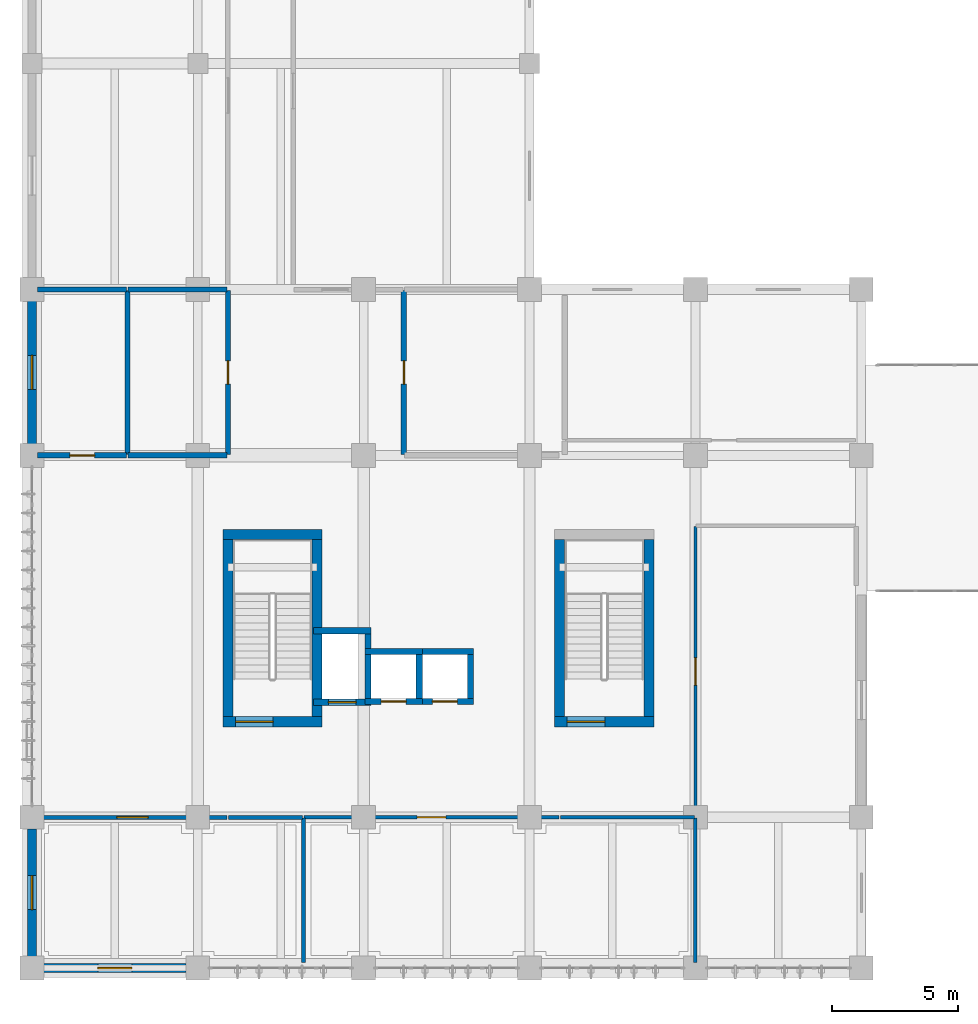
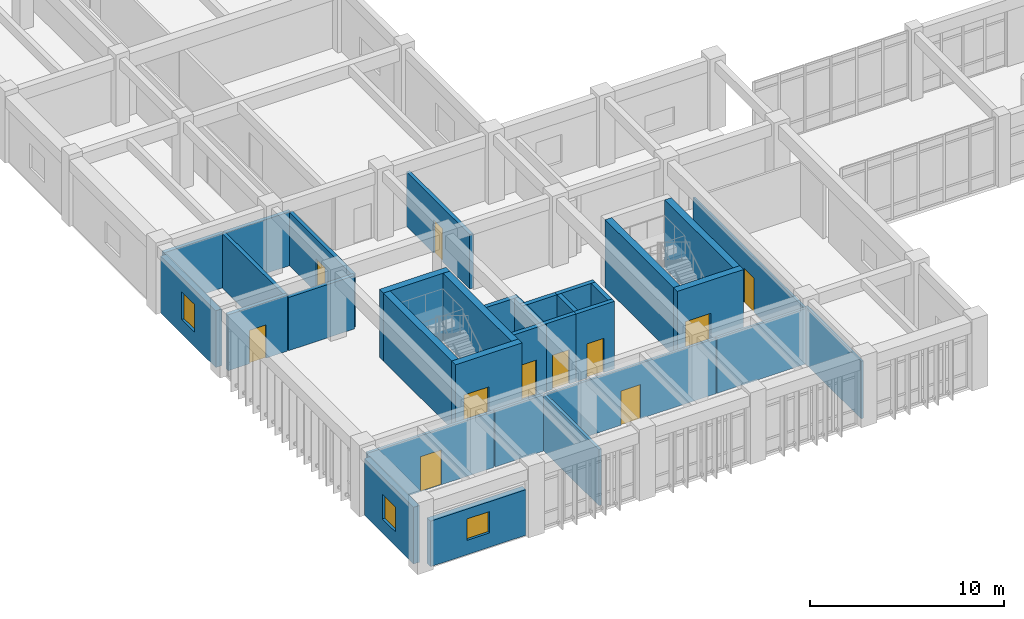
# One storey, part 42 of 57: 33 walls, 11 doors, 3 windows, 14 openings.
"""IFC4 building model written with IfcOpenShell, lengths in metres."""

from ifc_helpers import new_model, si_unit, direction, frame, frame_2d, origin, place, context, subcontext, project, spatial, rectangle, extrude, material, layer, layer_set, type_object, element, fill, save


model = new_model("IFC4")

# Units and contexts
model_context = context("Model", 3, precision=1e-05, world=origin(), true_north=direction((0.0, 1.0)))
body_context = subcontext(model_context, "Body", "Model", "MODEL_VIEW")
ifc_project = project(units=[si_unit("LENGTHUNIT", "METRE"), si_unit("AREAUNIT", "SQUARE_METRE"), si_unit("VOLUMEUNIT", "CUBIC_METRE"), si_unit("PLANEANGLEUNIT", "RADIAN"), si_unit("MASSUNIT", "GRAM", prefix="KILO")], contexts=[model_context])

# Site, building, storey
site_placement = place(None, origin())
site = spatial("IfcSite", under=ifc_project, at=site_placement, CompositionType="ELEMENT")
building_placement = place(site_placement, origin())
building = spatial("IfcBuilding", under=site, at=building_placement, Name="Miralva Faculty of Natural Sciences", CompositionType="ELEMENT")
storey_placement = place(building_placement, frame((0.0, 0.0, 15.0)))
storey = spatial("IfcBuildingStorey", under=building, at=storey_placement, Name="L03", CompositionType="ELEMENT", Elevation=15.0)

# Wall, opening, door
ifc_material_1 = material(Name="Concrete C50/60", Category="concrete")
ifc_layer_1 = layer(ifc_material_1, 0.39990234375, Name="WL-CW01")
ifc_layer_set_1 = layer_set([ifc_layer_1], Name="Concrete C50/60")
wall_type_1 = type_object("IfcWallType", Name="WL-CW01", PredefinedType="SHEAR", material=ifc_layer_set_1)
wall_1_placement = place(storey_placement, frame((10.60009765625, 12.800048828125, 0.0), z_axis=(0.0, 0.0, 1.0), x_axis=(1.0, 0.0, 0.0)))
wall_1 = element("IfcWall", 1, at=wall_1_placement, inside=storey, type_object=wall_type_1, Name="Core C1 shear wall south L03", PredefinedType="SHEAR", context=body_context, shape_type="SweptSolid", body=[
    extrude(rectangle(XDim=3.949951171875, YDim=0.39990234375, at=frame_2d((1.97509765625, 0.0))), origin(), (0.0, 0.0, 1.0), 4.280029296875),
])
opening_1_placement = place(wall_1_placement, frame((0.5, 0.0, 0.0)))
opening_1 = element("IfcOpeningElement", 2, at=opening_1_placement, cuts=wall_1, Name="Opening D-11", PredefinedType="OPENING", context=body_context, shape_type="SweptSolid", body=[
    extrude(rectangle(XDim=1.5, YDim=2.199951171875, at=frame_2d((0.75, 1.10009765625))), frame((0.0, 0.2099609375, 0.0), z_axis=(0.0, -1.0, 0.0), x_axis=(1.0, 0.0, 0.0)), (0.0, 0.0, 1.0), 0.419921875),
])
ifc_material_2 = material(Name="Galvanised steel", Category="steel")
door_type_1 = type_object("IfcDoorType", Name="DR-DI11", OperationType="DOUBLE_DOOR_SINGLE_SWING", PredefinedType="DOOR", material=ifc_material_2)
door_1_placement = place(opening_1_placement, frame((1.5, 0.0, 0.0), z_axis=(0.0, 0.0, 1.0), x_axis=(-1.0, 0.0, 0.0)))
door_1 = element("IfcDoor", 3, at=door_1_placement, inside=storey, type_object=door_type_1, Name="Protected exit stair door Core C1 L03", OperationType="DOUBLE_DOOR_SINGLE_SWING", OverallHeight=2.199951171875, OverallWidth=1.5, PredefinedType="DOOR", context=body_context, shape_type="SweptSolid", body=[
    extrude(rectangle(XDim=1.5, YDim=2.199951171875, at=frame_2d((0.75, 1.10009765625))), frame((0.0, 0.02490234375, 0.0), z_axis=(0.0, -1.0, 0.0), x_axis=(1.0, 0.0, 0.0)), (0.0, 0.0, 1.0), 0.050048828125),
])
fill(opening_1, door_1)

# Walls
wall_2_placement = place(storey_placement, frame((10.60009765625, 20.25, 0.0), z_axis=(0.0, 0.0, 1.0), x_axis=(1.0, 0.0, 0.0)))
element("IfcWall", 4, at=wall_2_placement, inside=storey, type_object=wall_type_1, Name="Core C1 shear wall north L03", PredefinedType="SHEAR", context=body_context, shape_type="SweptSolid", body=[
    extrude(rectangle(XDim=3.949951171875, YDim=0.39990234375, at=frame_2d((1.97509765625, 0.0))), origin(), (0.0, 0.0, 1.0), 4.280029296875),
])
for number, where, z_axis, x_axis, name in (
    (5, (10.800048828125, 13.0, 0.0), (0.0, 0.0, 1.0), (0.0, 1.0, 0.0), "Core C1 shear wall west L03"),
    (6, (14.35009765625, 13.0, 0.0), (0.0, 0.0, 1.0), (0.0, 1.0, 0.0), "Core C1 shear wall east L03"),
):
    element("IfcWall", number, at=place(storey_placement, frame(where, z_axis=z_axis, x_axis=x_axis)), inside=storey, type_object=wall_type_1, Name=name, PredefinedType="SHEAR", context=body_context, shape_type="SweptSolid", body=[
        extrude(rectangle(XDim=7.050048828125, YDim=0.39990234375, at=frame_2d((3.52490234375, 0.0))), origin(), (0.0, 0.0, 1.0), 4.280029296875),
    ])

# Wall, opening, door
wall_3_placement = place(storey_placement, frame((23.800048828125, 12.800048828125, 0.0), z_axis=(0.0, 0.0, 1.0), x_axis=(1.0, 0.0, 0.0)))
wall_3 = element("IfcWall", 7, at=wall_3_placement, inside=storey, type_object=wall_type_1, Name="Core C1B shear wall south L03", PredefinedType="SHEAR", context=body_context, shape_type="SweptSolid", body=[
    extrude(rectangle(XDim=3.949951171875, YDim=0.39990234375, at=frame_2d((1.97509765625, 0.0))), origin(), (0.0, 0.0, 1.0), 4.280029296875),
])
opening_2_placement = place(wall_3_placement, frame((0.5, 0.0, 0.0)))
opening_2 = element("IfcOpeningElement", 8, at=opening_2_placement, cuts=wall_3, Name="Opening D-11", PredefinedType="OPENING", context=body_context, shape_type="SweptSolid", body=[
    extrude(rectangle(XDim=1.5, YDim=2.199951171875, at=frame_2d((0.75, 1.10009765625))), frame((0.0, 0.2099609375, 0.0), z_axis=(0.0, -1.0, 0.0), x_axis=(1.0, 0.0, 0.0)), (0.0, 0.0, 1.0), 0.419921875),
])
door_2_placement = place(opening_2_placement, frame((1.5, 0.0, 0.0), z_axis=(0.0, 0.0, 1.0), x_axis=(-1.0, 0.0, 0.0)))
door_2 = element("IfcDoor", 9, at=door_2_placement, inside=storey, type_object=door_type_1, Name="Protected exit stair door Core C1B L03", OperationType="DOUBLE_DOOR_SINGLE_SWING", OverallHeight=2.199951171875, OverallWidth=1.5, PredefinedType="DOOR", context=body_context, shape_type="SweptSolid", body=[
    extrude(rectangle(XDim=1.5, YDim=2.199951171875, at=frame_2d((0.75, 1.10009765625))), frame((0.0, 0.02490234375, 0.0), z_axis=(0.0, -1.0, 0.0), x_axis=(1.0, 0.0, 0.0)), (0.0, 0.0, 1.0), 0.050048828125),
])
fill(opening_2, door_2)

# Walls
for number, where, z_axis, x_axis, name in (
    (10, (24.0, 13.0, 0.0), (0.0, 0.0, 1.0), (0.0, 1.0, 0.0), "Core C1B shear wall west L03"),
    (11, (27.550048828125, 13.0, 0.0), (0.0, 0.0, 1.0), (0.0, 1.0, 0.0), "Core C1B shear wall east L03"),
):
    element("IfcWall", number, at=place(storey_placement, frame(where, z_axis=z_axis, x_axis=x_axis)), inside=storey, type_object=wall_type_1, Name=name, PredefinedType="SHEAR", context=body_context, shape_type="SweptSolid", body=[
        extrude(rectangle(XDim=7.050048828125, YDim=0.39990234375, at=frame_2d((3.52490234375, 0.0))), origin(), (0.0, 0.0, 1.0), 4.280029296875),
    ])

# Wall, opening, door
ifc_material_3 = material(Name="Concrete C40/50", Category="concrete")
ifc_layer_2 = layer(ifc_material_3, 0.25, Name="WL-CW04")
ifc_layer_set_2 = layer_set([ifc_layer_2], Name="Concrete C40/50")
wall_type_2 = type_object("IfcWallType", Name="WL-CW04", PredefinedType="SHEAR", material=ifc_layer_set_2)
wall_4_placement = place(storey_placement, frame((14.205078125, 13.580078125, 0.0), z_axis=(0.0, 0.0, 1.0), x_axis=(1.0, 0.0, 0.0)))
wall_4 = element("IfcWall", 12, at=wall_4_placement, inside=storey, type_object=wall_type_2, Name="Lift L-01 hoistway front wall L03", PredefinedType="SHEAR", context=body_context, shape_type="SweptSolid", body=[
    extrude(rectangle(XDim=2.2900390625, YDim=0.25, at=frame_2d((1.14501953125, 0.0))), origin(), (0.0, 0.0, 1.0), 4.260009765625),
])
opening_3_placement = place(wall_4_placement, frame((0.594970703125, 0.0, 0.0)))
opening_3 = element("IfcOpeningElement", 13, at=opening_3_placement, cuts=wall_4, Name="Opening LD-01", PredefinedType="OPENING", context=body_context, shape_type="SweptSolid", body=[
    extrude(rectangle(XDim=1.10009765625, YDim=2.199951171875, at=frame_2d((0.550048828125, 1.10009765625))), frame((0.0, 0.135009765625, 0.0), z_axis=(0.0, -1.0, 0.0), x_axis=(1.0, 0.0, 0.0)), (0.0, 0.0, 1.0), 0.27001953125),
])
door_type_2 = type_object("IfcDoorType", Name="DR-LD01", OperationType="SLIDING_TO_LEFT", PredefinedType="DOOR", material=ifc_material_2)
door_3_placement = place(opening_3_placement, frame((1.10009765625, 0.0, 0.0), z_axis=(0.0, 0.0, 1.0), x_axis=(-1.0, 0.0, 0.0)))
door_3 = element("IfcDoor", 14, at=door_3_placement, inside=storey, type_object=door_type_2, Name="Lift L-01 sliding landing door L03", OperationType="SLIDING_TO_LEFT", OverallHeight=2.199951171875, OverallWidth=1.10009765625, PredefinedType="DOOR", context=body_context, shape_type="SweptSolid", body=[
    extrude(rectangle(XDim=1.10009765625, YDim=2.199951171875, at=frame_2d((0.550048828125, 1.10009765625))), frame((0.0, 0.02490234375, 0.0), z_axis=(0.0, -1.0, 0.0), x_axis=(1.0, 0.0, 0.0)), (0.0, 0.0, 1.0), 0.050048828125),
])
fill(opening_3, door_3)

# Walls
wall_5_placement = place(storey_placement, frame((14.205078125, 16.419921875, 0.0), z_axis=(0.0, 0.0, 1.0), x_axis=(1.0, 0.0, 0.0)))
element("IfcWall", 15, at=wall_5_placement, inside=storey, type_object=wall_type_2, Name="Lift L-01 hoistway rear wall L03", PredefinedType="SHEAR", context=body_context, shape_type="SweptSolid", body=[
    extrude(rectangle(XDim=2.2900390625, YDim=0.25, at=frame_2d((1.14501953125, 0.0))), origin(), (0.0, 0.0, 1.0), 4.260009765625),
])
wall_6_placement = place(storey_placement, frame((16.3701171875, 13.705078125, 0.0), z_axis=(0.0, 0.0, 1.0), x_axis=(0.0, 1.0, 0.0)))
element("IfcWall", 16, at=wall_6_placement, inside=storey, type_object=wall_type_2, Name="Lift L-01 hoistway E wall L03", PredefinedType="SHEAR", context=body_context, shape_type="SweptSolid", body=[
    extrude(rectangle(XDim=2.58984375, YDim=0.25, at=frame_2d((1.294921875, 0.0))), origin(), (0.0, 0.0, 1.0), 4.260009765625),
])

# Wall, opening, door
wall_7_placement = place(storey_placement, frame((16.2451171875, 13.60498046875, 0.0), z_axis=(0.0, 0.0, 1.0), x_axis=(1.0, 0.0, 0.0)))
wall_7 = element("IfcWall", 17, at=wall_7_placement, inside=storey, type_object=wall_type_2, Name="Lift L-02 hoistway front wall L03", PredefinedType="SHEAR", context=body_context, shape_type="SweptSolid", body=[
    extrude(rectangle(XDim=2.289794921875, YDim=0.25, at=frame_2d((1.14501953125, 0.0))), origin(), (0.0, 0.0, 1.0), 4.260009765625),
])
opening_4_placement = place(wall_7_placement, frame((0.64501953125, 0.0, 0.0)))
opening_4 = element("IfcOpeningElement", 18, at=opening_4_placement, cuts=wall_7, Name="Opening LD-02", PredefinedType="OPENING", context=body_context, shape_type="SweptSolid", body=[
    extrude(rectangle(XDim=1.0, YDim=2.14990234375, at=frame_2d((0.5, 1.074951171875))), frame((0.0, 0.135009765625, 0.0), z_axis=(0.0, -1.0, 0.0), x_axis=(1.0, 0.0, 0.0)), (0.0, 0.0, 1.0), 0.27001953125),
])
door_type_3 = type_object("IfcDoorType", Name="DR-LD02", OperationType="SLIDING_TO_LEFT", PredefinedType="DOOR", material=ifc_material_2)
door_4_placement = place(opening_4_placement, frame((1.0, 0.0, 0.0), z_axis=(0.0, 0.0, 1.0), x_axis=(-1.0, 0.0, 0.0)))
door_4 = element("IfcDoor", 19, at=door_4_placement, inside=storey, type_object=door_type_3, Name="Lift L-02 sliding landing door L03", OperationType="SLIDING_TO_LEFT", OverallHeight=2.14990234375, OverallWidth=1.0, PredefinedType="DOOR", context=body_context, shape_type="SweptSolid", body=[
    extrude(rectangle(XDim=1.0, YDim=2.14990234375, at=frame_2d((0.5, 1.074951171875))), frame((0.0, 0.02490234375, 0.0), z_axis=(0.0, -1.0, 0.0), x_axis=(1.0, 0.0, 0.0)), (0.0, 0.0, 1.0), 0.050048828125),
])
fill(opening_4, door_4)

# Walls
wall_8_placement = place(storey_placement, frame((16.2451171875, 15.594970703125, 0.0), z_axis=(0.0, 0.0, 1.0), x_axis=(1.0, 0.0, 0.0)))
element("IfcWall", 20, at=wall_8_placement, inside=storey, type_object=wall_type_2, Name="Lift L-02 hoistway rear wall L03", PredefinedType="SHEAR", context=body_context, shape_type="SweptSolid", body=[
    extrude(rectangle(XDim=2.289794921875, YDim=0.25, at=frame_2d((1.14501953125, 0.0))), origin(), (0.0, 0.0, 1.0), 4.260009765625),
])
wall_9_placement = place(storey_placement, frame((18.409912109375, 13.72998046875, 0.0), z_axis=(0.0, 0.0, 1.0), x_axis=(0.0, 1.0, 0.0)))
element("IfcWall", 21, at=wall_9_placement, inside=storey, type_object=wall_type_2, Name="Lift L-02 hoistway E wall L03", PredefinedType="SHEAR", context=body_context, shape_type="SweptSolid", body=[
    extrude(rectangle(XDim=1.739990234375, YDim=0.25, at=frame_2d((0.8701171875, 0.0))), origin(), (0.0, 0.0, 1.0), 4.260009765625),
])

# Wall, opening, door
wall_10_placement = place(storey_placement, frame((18.284912109375, 13.60498046875, 0.0), z_axis=(0.0, 0.0, 1.0), x_axis=(1.0, 0.0, 0.0)))
wall_10 = element("IfcWall", 22, at=wall_10_placement, inside=storey, type_object=wall_type_2, Name="Lift L-03 hoistway front wall L03", PredefinedType="SHEAR", context=body_context, shape_type="SweptSolid", body=[
    extrude(rectangle(XDim=2.2900390625, YDim=0.25, at=frame_2d((1.14501953125, 0.0))), origin(), (0.0, 0.0, 1.0), 4.260009765625),
])
opening_5_placement = place(wall_10_placement, frame((0.64501953125, 0.0, 0.0)))
opening_5 = element("IfcOpeningElement", 23, at=opening_5_placement, cuts=wall_10, Name="Opening LD-02", PredefinedType="OPENING", context=body_context, shape_type="SweptSolid", body=[
    extrude(rectangle(XDim=1.0, YDim=2.14990234375, at=frame_2d((0.5, 1.074951171875))), frame((0.0, 0.135009765625, 0.0), z_axis=(0.0, -1.0, 0.0), x_axis=(1.0, 0.0, 0.0)), (0.0, 0.0, 1.0), 0.27001953125),
])
door_5_placement = place(opening_5_placement, frame((1.0, 0.0, 0.0), z_axis=(0.0, 0.0, 1.0), x_axis=(-1.0, 0.0, 0.0)))
door_5 = element("IfcDoor", 24, at=door_5_placement, inside=storey, type_object=door_type_3, Name="Lift L-03 sliding landing door L03", OperationType="SLIDING_TO_LEFT", OverallHeight=2.14990234375, OverallWidth=1.0, PredefinedType="DOOR", context=body_context, shape_type="SweptSolid", body=[
    extrude(rectangle(XDim=1.0, YDim=2.14990234375, at=frame_2d((0.5, 1.074951171875))), frame((0.0, 0.02490234375, 0.0), z_axis=(0.0, -1.0, 0.0), x_axis=(1.0, 0.0, 0.0)), (0.0, 0.0, 1.0), 0.050048828125),
])
fill(opening_5, door_5)

# Walls
wall_11_placement = place(storey_placement, frame((18.284912109375, 15.594970703125, 0.0), z_axis=(0.0, 0.0, 1.0), x_axis=(1.0, 0.0, 0.0)))
element("IfcWall", 25, at=wall_11_placement, inside=storey, type_object=wall_type_2, Name="Lift L-03 hoistway rear wall L03", PredefinedType="SHEAR", context=body_context, shape_type="SweptSolid", body=[
    extrude(rectangle(XDim=2.2900390625, YDim=0.25, at=frame_2d((1.14501953125, 0.0))), origin(), (0.0, 0.0, 1.0), 4.260009765625),
])
wall_12_placement = place(storey_placement, frame((20.449951171875, 13.72998046875, 0.0), z_axis=(0.0, 0.0, 1.0), x_axis=(0.0, 1.0, 0.0)))
element("IfcWall", 26, at=wall_12_placement, inside=storey, type_object=wall_type_2, Name="Lift L-03 hoistway E wall L03", PredefinedType="SHEAR", context=body_context, shape_type="SweptSolid", body=[
    extrude(rectangle(XDim=1.739990234375, YDim=0.25, at=frame_2d((0.8701171875, 0.0))), origin(), (0.0, 0.0, 1.0), 4.260009765625),
])
ifc_material_4 = material(Name="Gypsum plasterboard")
ifc_layer_3 = layer(ifc_material_4, 0.159912109375, Name="WL-PT03")
ifc_layer_set_3 = layer_set([ifc_layer_3], Name="Gypsum plasterboard")
wall_type_3 = type_object("IfcWallType", Name="WL-PT03", PredefinedType="PARTITIONING", material=ifc_layer_set_3)
wall_13_placement = place(storey_placement, frame((13.800048828125, 3.22998046875, 0.0), z_axis=(0.0, 0.0, 1.0), x_axis=(0.0, 1.0, 0.0)))
element("IfcWall", 27, at=wall_13_placement, inside=storey, type_object=wall_type_3, Name="Interior partition PT-03 L03-319", PredefinedType="PARTITIONING", context=body_context, shape_type="SweptSolid", body=[
    extrude(rectangle(XDim=5.739990234375, YDim=0.159912109375, at=frame_2d((2.8701171875, 0.0))), origin(), (0.0, 0.0, 1.0), 3.534912109375),
])

# Wall, opening, door
wall_14_placement = place(storey_placement, frame((3.22998046875, 9.0, 0.0), z_axis=(0.0, 0.0, 1.0), x_axis=(1.0, 0.0, 0.0)))
wall_14 = element("IfcWall", 28, at=wall_14_placement, inside=storey, type_object=wall_type_3, Name="Interior partition PT-03 L03-320", PredefinedType="PARTITIONING", context=body_context, shape_type="SweptSolid", body=[
    extrude(rectangle(XDim=7.5400390625, YDim=0.159912109375, at=frame_2d((3.77001953125, 0.0))), origin(), (0.0, 0.0, 1.0), 3.52490234375),
])
opening_6_placement = place(wall_14_placement, frame((3.14501953125, 0.0, 0.0)))
opening_6 = element("IfcOpeningElement", 29, at=opening_6_placement, cuts=wall_14, Name="Opening D-23", PredefinedType="OPENING", context=body_context, shape_type="SweptSolid", body=[
    extrude(rectangle(XDim=1.25, YDim=2.199951171875, at=frame_2d((0.625, 1.10009765625))), frame((0.0, 0.08984375, 0.0), z_axis=(0.0, -1.0, 0.0), x_axis=(1.0, 0.0, 0.0)), (0.0, 0.0, 1.0), 0.179931640625),
])
ifc_material_5 = material(Name="Anodised aluminium", Category="aluminium")
door_type_4 = type_object("IfcDoorType", Name="DR-DI23", OperationType="NOTDEFINED", PredefinedType="DOOR", material=ifc_material_5)
door_6_placement = place(opening_6_placement, origin())
door_6 = element("IfcDoor", 30, at=door_6_placement, inside=storey, type_object=door_type_4, Name="Interior door D-23 L03-120", OperationType="SINGLE_SWING_LEFT", OverallHeight=2.199951171875, OverallWidth=1.25, PredefinedType="DOOR", context=body_context, shape_type="SweptSolid", body=[
    extrude(rectangle(XDim=1.25, YDim=2.199951171875, at=frame_2d((0.625, 1.10009765625))), frame((0.0, 0.02490234375, 0.0), z_axis=(0.0, -1.0, 0.0), x_axis=(1.0, 0.0, 0.0)), (0.0, 0.0, 1.0), 0.050048828125),
])
fill(opening_6, door_6)

# Walls
wall_15_placement = place(storey_placement, frame((10.830078125, 9.0, 0.0), z_axis=(0.0, 0.0, 1.0), x_axis=(1.0, 0.0, 0.0)))
element("IfcWall", 31, at=wall_15_placement, inside=storey, type_object=wall_type_3, Name="Interior partition PT-03 L03-321", PredefinedType="PARTITIONING", context=body_context, shape_type="SweptSolid", body=[
    extrude(rectangle(XDim=2.93994140625, YDim=0.159912109375, at=frame_2d((1.469970703125, 0.0))), origin(), (0.0, 0.0, 1.0), 3.534912109375),
])
ifc_layer_4 = layer(ifc_material_4, 0.139892578125, Name="WL-PT04")
ifc_layer_set_4 = layer_set([ifc_layer_4], Name="Gypsum plasterboard")
wall_type_4 = type_object("IfcWallType", Name="WL-PT04", PredefinedType="PARTITIONING", material=ifc_layer_set_4)
wall_16_placement = place(storey_placement, frame((29.39990234375, 3.22998046875, 0.0), z_axis=(0.0, 0.0, 1.0), x_axis=(0.0, 1.0, 0.0)))
element("IfcWall", 32, at=wall_16_placement, inside=storey, type_object=wall_type_4, Name="Interior partition PT-04 L03-322", PredefinedType="PARTITIONING", context=body_context, shape_type="SweptSolid", body=[
    extrude(rectangle(XDim=5.739990234375, YDim=0.139892578125, at=frame_2d((2.8701171875, 0.0))), origin(), (0.0, 0.0, 1.0), 3.625),
])
wall_17_placement = place(storey_placement, frame((24.030029296875, 9.0, 0.0), z_axis=(0.0, 0.0, 1.0), x_axis=(1.0, 0.0, 0.0)))
element("IfcWall", 33, at=wall_17_placement, inside=storey, type_object=wall_type_4, Name="Interior partition PT-04 L03-323", PredefinedType="PARTITIONING", context=body_context, shape_type="SweptSolid", body=[
    extrude(rectangle(XDim=5.340087890625, YDim=0.139892578125, at=frame_2d((2.669921875, 0.0))), origin(), (0.0, 0.0, 1.0), 3.4951171875),
])

# Wall, opening, door
wall_18_placement = place(storey_placement, frame((13.830078125, 9.0, 0.0), z_axis=(0.0, 0.0, 1.0), x_axis=(1.0, 0.0, 0.0)))
wall_18 = element("IfcWall", 34, at=wall_18_placement, inside=storey, type_object=wall_type_4, Name="Interior partition PT-04 L03-324", PredefinedType="PARTITIONING", context=body_context, shape_type="SweptSolid", body=[
    extrude(rectangle(XDim=10.139892578125, YDim=0.139892578125, at=frame_2d((5.06982421875, 0.0))), origin(), (0.0, 0.0, 1.0), 3.4951171875),
])
opening_7_placement = place(wall_18_placement, frame((4.4951171875, 0.0, 0.0)))
opening_7 = element("IfcOpeningElement", 35, at=opening_7_placement, cuts=wall_18, Name="Opening D-24", PredefinedType="OPENING", context=body_context, shape_type="SweptSolid", body=[
    extrude(rectangle(XDim=1.14990234375, YDim=2.14990234375, at=frame_2d((0.574951171875, 1.074951171875))), frame((0.0, 0.079833984375, 0.0), z_axis=(0.0, -1.0, 0.0), x_axis=(1.0, 0.0, 0.0)), (0.0, 0.0, 1.0), 0.159912109375),
])
door_type_5 = type_object("IfcDoorType", Name="DR-DI24", OperationType="NOTDEFINED", PredefinedType="DOOR", material=ifc_material_5)
door_7_placement = place(opening_7_placement, origin())
door_7 = element("IfcDoor", 36, at=door_7_placement, inside=storey, type_object=door_type_5, Name="Interior door D-24 L03-121", OperationType="SINGLE_SWING_RIGHT", OverallHeight=2.14990234375, OverallWidth=1.14990234375, PredefinedType="DOOR", context=body_context, shape_type="SweptSolid", body=[
    extrude(rectangle(XDim=1.14990234375, YDim=2.14990234375, at=frame_2d((0.574951171875, 1.074951171875))), frame((0.0, 0.02490234375, 0.0), z_axis=(0.0, -1.0, 0.0), x_axis=(1.0, 0.0, 0.0)), (0.0, 0.0, 1.0), 0.050048828125),
])
fill(opening_7, door_7)

ifc_layer_5 = layer(ifc_material_4, 0.125, Name="WL-PT05")
ifc_layer_set_5 = layer_set([ifc_layer_5], Name="Gypsum plasterboard")
wall_type_5 = type_object("IfcWallType", Name="WL-PT05", PredefinedType="PARTITIONING", material=ifc_layer_set_5)
wall_19_placement = place(storey_placement, frame((29.39990234375, 9.030029296875, 0.0), z_axis=(0.0, 0.0, 1.0), x_axis=(0.0, 1.0, 0.0)))
wall_19 = element("IfcWall", 37, at=wall_19_placement, inside=storey, type_object=wall_type_5, Name="Interior partition PT-05 L03-325", PredefinedType="PARTITIONING", context=body_context, shape_type="SweptSolid", body=[
    extrude(rectangle(XDim=11.5400390625, YDim=0.125, at=frame_2d((5.77001953125, 0.0))), origin(), (0.0, 0.0, 1.0), 3.425048828125),
])
opening_8_placement = place(wall_19_placement, frame((5.22998046875, 0.0, 0.0)))
opening_8 = element("IfcOpeningElement", 38, at=opening_8_placement, cuts=wall_19, Name="Opening D-32", PredefinedType="OPENING", context=body_context, shape_type="SweptSolid", body=[
    extrude(rectangle(XDim=1.080078125, YDim=2.14990234375, at=frame_2d((0.5400390625, 1.074951171875))), frame((0.0, 0.072509765625, 0.0), z_axis=(0.0, -1.0, 0.0), x_axis=(1.0, 0.0, 0.0)), (0.0, 0.0, 1.0), 0.14501953125),
])
door_type_6 = type_object("IfcDoorType", Name="DR-DI32", OperationType="NOTDEFINED", PredefinedType="DOOR", material=ifc_material_5)
door_8_placement = place(opening_8_placement, origin())
door_8 = element("IfcDoor", 39, at=door_8_placement, inside=storey, type_object=door_type_6, Name="Interior door D-32 L03-122", OperationType="SINGLE_SWING_LEFT", OverallHeight=2.14990234375, OverallWidth=1.080078125, PredefinedType="DOOR", context=body_context, shape_type="SweptSolid", body=[
    extrude(rectangle(XDim=1.080078125, YDim=2.14990234375, at=frame_2d((0.5400390625, 1.074951171875))), frame((0.0, 0.02490234375, 0.0), z_axis=(0.0, -1.0, 0.0), x_axis=(1.0, 0.0, 0.0)), (0.0, 0.0, 1.0), 0.050048828125),
])
fill(opening_8, door_8)

# Wall
ifc_layer_6 = layer(ifc_material_4, 0.2099609375, Name="WL-PT06")
ifc_layer_set_6 = layer_set([ifc_layer_6], Name="Gypsum plasterboard")
wall_type_6 = type_object("IfcWallType", Name="WL-PT06", PredefinedType="PLUMBINGWALL", material=ifc_layer_set_6)
wall_20_placement = place(storey_placement, frame((6.800048828125, 23.429931640625, 0.0), z_axis=(0.0, 0.0, 1.0), x_axis=(0.0, 1.0, 0.0)))
element("IfcWall", 40, at=wall_20_placement, inside=storey, type_object=wall_type_6, Name="Interior partition PT-06 L03-328", PredefinedType="PLUMBINGWALL", context=body_context, shape_type="SweptSolid", body=[
    extrude(rectangle(XDim=6.5400390625, YDim=0.2099609375, at=frame_2d((3.27001953125, 0.0))), origin(), (0.0, 0.0, 1.0), 3.425048828125),
])

# Wall, opening, door
wall_21_placement = place(storey_placement, frame((3.22998046875, 23.39990234375, 0.0), z_axis=(0.0, 0.0, 1.0), x_axis=(1.0, 0.0, 0.0)))
wall_21 = element("IfcWall", 41, at=wall_21_placement, inside=storey, type_object=wall_type_6, Name="Interior partition PT-06 L03-329", PredefinedType="PLUMBINGWALL", context=body_context, shape_type="SweptSolid", body=[
    extrude(rectangle(XDim=3.5400390625, YDim=0.2099609375, at=frame_2d((1.77001953125, 0.0))), origin(), (0.0, 0.0, 1.0), 3.52490234375),
])
opening_9_placement = place(wall_21_placement, frame((1.280029296875, 0.0, 0.0)))
opening_9 = element("IfcOpeningElement", 42, at=opening_9_placement, cuts=wall_21, Name="Opening D-26", PredefinedType="OPENING", context=body_context, shape_type="SweptSolid", body=[
    extrude(rectangle(XDim=0.97998046875, YDim=2.10009765625, at=frame_2d((0.489990234375, 1.050048828125))), frame((0.0, 0.114990234375, 0.0), z_axis=(0.0, -1.0, 0.0), x_axis=(1.0, 0.0, 0.0)), (0.0, 0.0, 1.0), 0.22998046875),
])
door_type_7 = type_object("IfcDoorType", Name="DR-DI26", OperationType="NOTDEFINED", PredefinedType="DOOR", material=ifc_material_5)
door_9_placement = place(opening_9_placement, origin())
door_9 = element("IfcDoor", 43, at=door_9_placement, inside=storey, type_object=door_type_7, Name="Interior door D-26 L03-123", OperationType="SINGLE_SWING_RIGHT", OverallHeight=2.10009765625, OverallWidth=0.97998046875, PredefinedType="DOOR", context=body_context, shape_type="SweptSolid", body=[
    extrude(rectangle(XDim=0.97998046875, YDim=2.10009765625, at=frame_2d((0.489990234375, 1.050048828125))), frame((0.0, 0.02490234375, 0.0), z_axis=(0.0, -1.0, 0.0), x_axis=(1.0, 0.0, 0.0)), (0.0, 0.0, 1.0), 0.050048828125),
])
fill(opening_9, door_9)

# Walls
wall_22_placement = place(storey_placement, frame((3.22998046875, 30.0, 0.0), z_axis=(0.0, 0.0, 1.0), x_axis=(1.0, 0.0, 0.0)))
element("IfcWall", 44, at=wall_22_placement, inside=storey, type_object=wall_type_6, Name="Interior partition PT-06 L03-330", PredefinedType="PLUMBINGWALL", context=body_context, shape_type="SweptSolid", body=[
    extrude(rectangle(XDim=3.5400390625, YDim=0.2099609375, at=frame_2d((1.77001953125, 0.0))), origin(), (0.0, 0.0, 1.0), 3.425048828125),
])
wall_23_placement = place(storey_placement, frame((6.830078125, 23.39990234375, 0.0), z_axis=(0.0, 0.0, 1.0), x_axis=(1.0, 0.0, 0.0)))
element("IfcWall", 45, at=wall_23_placement, inside=storey, type_object=wall_type_6, Name="Interior partition PT-06 L03-331", PredefinedType="PLUMBINGWALL", context=body_context, shape_type="SweptSolid", body=[
    extrude(rectangle(XDim=3.93994140625, YDim=0.2099609375, at=frame_2d((1.969970703125, 0.0))), origin(), (0.0, 0.0, 1.0), 3.35498046875),
])

# Wall, opening, door
wall_24_placement = place(storey_placement, frame((10.800048828125, 23.429931640625, 0.0), z_axis=(0.0, 0.0, 1.0), x_axis=(0.0, 1.0, 0.0)))
wall_24 = element("IfcWall", 46, at=wall_24_placement, inside=storey, type_object=wall_type_6, Name="Interior partition PT-06 L03-332", PredefinedType="PLUMBINGWALL", context=body_context, shape_type="SweptSolid", body=[
    extrude(rectangle(XDim=6.5400390625, YDim=0.2099609375, at=frame_2d((3.27001953125, 0.0))), origin(), (0.0, 0.0, 1.0), 3.35498046875),
])
opening_10_placement = place(wall_24_placement, frame((2.81005859375, 0.0, 0.0)))
opening_10 = element("IfcOpeningElement", 47, at=opening_10_placement, cuts=wall_24, Name="Opening D-27", PredefinedType="OPENING", context=body_context, shape_type="SweptSolid", body=[
    extrude(rectangle(XDim=0.919921875, YDim=2.10009765625, at=frame_2d((0.4599609375, 1.050048828125))), frame((0.0, 0.114990234375, 0.0), z_axis=(0.0, -1.0, 0.0), x_axis=(1.0, 0.0, 0.0)), (0.0, 0.0, 1.0), 0.22998046875),
])
door_type_8 = type_object("IfcDoorType", Name="DR-DI27", OperationType="NOTDEFINED", PredefinedType="DOOR", material=ifc_material_5)
door_10_placement = place(opening_10_placement, origin())
door_10 = element("IfcDoor", 48, at=door_10_placement, inside=storey, type_object=door_type_8, Name="Interior door D-27 L03-124", OperationType="SINGLE_SWING_LEFT", OverallHeight=2.10009765625, OverallWidth=0.919921875, PredefinedType="DOOR", context=body_context, shape_type="SweptSolid", body=[
    extrude(rectangle(XDim=0.919921875, YDim=2.10009765625, at=frame_2d((0.4599609375, 1.050048828125))), frame((0.0, 0.02490234375, 0.0), z_axis=(0.0, -1.0, 0.0), x_axis=(1.0, 0.0, 0.0)), (0.0, 0.0, 1.0), 0.050048828125),
])
fill(opening_10, door_10)

# Wall
wall_25_placement = place(storey_placement, frame((6.830078125, 30.0, 0.0), z_axis=(0.0, 0.0, 1.0), x_axis=(1.0, 0.0, 0.0)))
element("IfcWall", 49, at=wall_25_placement, inside=storey, type_object=wall_type_6, Name="Interior partition PT-06 L03-333", PredefinedType="PLUMBINGWALL", context=body_context, shape_type="SweptSolid", body=[
    extrude(rectangle(XDim=3.93994140625, YDim=0.2099609375, at=frame_2d((1.969970703125, 0.0))), origin(), (0.0, 0.0, 1.0), 3.39501953125),
])

# Wall, opening, door
wall_26_placement = place(storey_placement, frame((17.800048828125, 23.429931640625, 0.0), z_axis=(0.0, 0.0, 1.0), x_axis=(0.0, 1.0, 0.0)))
wall_26 = element("IfcWall", 50, at=wall_26_placement, inside=storey, type_object=wall_type_6, Name="Interior partition PT-06 L03-336", PredefinedType="PLUMBINGWALL", context=body_context, shape_type="SweptSolid", body=[
    extrude(rectangle(XDim=6.5400390625, YDim=0.2099609375, at=frame_2d((3.27001953125, 0.0))), origin(), (0.0, 0.0, 1.0), 3.425048828125),
])
opening_11_placement = place(wall_26_placement, frame((2.81005859375, 0.0, 0.0)))
opening_11 = element("IfcOpeningElement", 51, at=opening_11_placement, cuts=wall_26, Name="Opening D-27", PredefinedType="OPENING", context=body_context, shape_type="SweptSolid", body=[
    extrude(rectangle(XDim=0.919921875, YDim=2.10009765625, at=frame_2d((0.4599609375, 1.050048828125))), frame((0.0, 0.114990234375, 0.0), z_axis=(0.0, -1.0, 0.0), x_axis=(1.0, 0.0, 0.0)), (0.0, 0.0, 1.0), 0.22998046875),
])
door_11_placement = place(opening_11_placement, origin())
door_11 = element("IfcDoor", 52, at=door_11_placement, inside=storey, type_object=door_type_8, Name="Interior door D-27 L03-125", OperationType="SINGLE_SWING_RIGHT", OverallHeight=2.10009765625, OverallWidth=0.919921875, PredefinedType="DOOR", context=body_context, shape_type="SweptSolid", body=[
    extrude(rectangle(XDim=0.919921875, YDim=2.10009765625, at=frame_2d((0.4599609375, 1.050048828125))), frame((0.0, 0.02490234375, 0.0), z_axis=(0.0, -1.0, 0.0), x_axis=(1.0, 0.0, 0.0)), (0.0, 0.0, 1.0), 0.050048828125),
])
fill(opening_11, door_11)

# Wall, opening, window
ifc_material_6 = material(Name="Volcanic tuff architectural stone", Category="masonry")
ifc_layer_7 = layer(ifc_material_6, 0.360107421875, Name="WL-WT01")
ifc_layer_set_7 = layer_set([ifc_layer_7], Name="Volcanic tuff architectural stone")
wall_type_7 = type_object("IfcWallType", Name="WL-WT01", PredefinedType="SOLIDWALL", material=ifc_layer_set_7)
wall_27_placement = place(storey_placement, frame((3.465087890625, 3.0, 0.0), z_axis=(0.0, 0.0, 1.0), x_axis=(1.0, 0.0, 0.0)))
wall_27 = element("IfcWall", 53, at=wall_27_placement, inside=storey, type_object=wall_type_7, Name="Exterior wall L03-84", PredefinedType="SOLIDWALL", context=body_context, shape_type="SweptSolid", body=[
    extrude(rectangle(XDim=5.669921875, YDim=0.360107421875, at=frame_2d((2.8349609375, 0.0))), origin(), (0.0, 0.0, 1.0), 2.8701171875),
])
opening_12_placement = place(wall_27_placement, frame((2.159912109375, 0.0, 0.89990234375)))
opening_12 = element("IfcOpeningElement", 54, at=opening_12_placement, cuts=wall_27, Name="Opening W-54", PredefinedType="OPENING", context=body_context, shape_type="SweptSolid", body=[
    extrude(rectangle(XDim=1.35009765625, YDim=1.35009765625, at=frame_2d((0.675048828125, 0.675048828125))), frame((0.0, 0.18994140625, 0.0), z_axis=(0.0, -1.0, 0.0), x_axis=(1.0, 0.0, 0.0)), (0.0, 0.0, 1.0), 0.380126953125),
])
ifc_material_7 = material(Name="Laminated solar-control glass", Category="glass")
window_type_1 = type_object("IfcWindowType", Name="WN-W54", PartitioningType="DOUBLE_PANEL_VERTICAL", PredefinedType="WINDOW", material=ifc_material_7)
window_1_placement = place(opening_12_placement, frame((1.35009765625, 0.0, 0.0), z_axis=(0.0, 0.0, 1.0), x_axis=(-1.0, 0.0, 0.0)))
window_1 = element("IfcWindow", 55, at=window_1_placement, inside=storey, type_object=window_type_1, Name="Window W-54 L03-30", OverallHeight=1.35009765625, OverallWidth=1.35009765625, PartitioningType="DOUBLE_PANEL_VERTICAL", PredefinedType="WINDOW", context=body_context, shape_type="SweptSolid", body=[
    extrude(rectangle(XDim=1.35009765625, YDim=1.35009765625, at=frame_2d((0.675048828125, 0.675048828125))), frame((0.0, 0.030029296875, 0.0), z_axis=(0.0, -1.0, 0.0), x_axis=(1.0, 0.0, 0.0)), (0.0, 0.0, 1.0), 0.06005859375),
])
fill(opening_12, window_1)

wall_28_placement = place(storey_placement, frame((3.0, 3.465087890625, 0.0), z_axis=(0.0, 0.0, 1.0), x_axis=(0.0, 1.0, 0.0)))
wall_28 = element("IfcWall", 56, at=wall_28_placement, inside=storey, type_object=wall_type_7, Name="Exterior wall L03-85", PredefinedType="SOLIDWALL", context=body_context, shape_type="SweptSolid", body=[
    extrude(rectangle(XDim=5.06982421875, YDim=0.360107421875, at=frame_2d((2.534912109375, 0.0))), origin(), (0.0, 0.0, 1.0), 3.574951171875),
])
opening_13_placement = place(wall_28_placement, frame((1.860107421875, 0.0, 0.89990234375)))
opening_13 = element("IfcOpeningElement", 57, at=opening_13_placement, cuts=wall_28, Name="Opening W-55", PredefinedType="OPENING", context=body_context, shape_type="SweptSolid", body=[
    extrude(rectangle(XDim=1.35009765625, YDim=1.550048828125, at=frame_2d((0.675048828125, 0.77490234375))), frame((0.0, 0.18994140625, 0.0), z_axis=(0.0, -1.0, 0.0), x_axis=(1.0, 0.0, 0.0)), (0.0, 0.0, 1.0), 0.380126953125),
])
window_type_2 = type_object("IfcWindowType", Name="WN-W55", PartitioningType="DOUBLE_PANEL_VERTICAL", PredefinedType="WINDOW", material=ifc_material_7)
window_2_placement = place(opening_13_placement, origin())
window_2 = element("IfcWindow", 58, at=window_2_placement, inside=storey, type_object=window_type_2, Name="Window W-55 L03-31", OverallHeight=1.550048828125, OverallWidth=1.35009765625, PartitioningType="DOUBLE_PANEL_VERTICAL", PredefinedType="WINDOW", context=body_context, shape_type="SweptSolid", body=[
    extrude(rectangle(XDim=1.35009765625, YDim=1.550048828125, at=frame_2d((0.675048828125, 0.77490234375))), frame((0.0, 0.030029296875, 0.0), z_axis=(0.0, -1.0, 0.0), x_axis=(1.0, 0.0, 0.0)), (0.0, 0.0, 1.0), 0.06005859375),
])
fill(opening_13, window_2)

wall_29_placement = place(storey_placement, frame((3.0, 23.85498046875, 0.0), z_axis=(0.0, 0.0, 1.0), x_axis=(0.0, 1.0, 0.0)))
wall_29 = element("IfcWall", 59, at=wall_29_placement, inside=storey, type_object=wall_type_7, Name="Exterior wall L03-86", PredefinedType="SOLIDWALL", context=body_context, shape_type="SweptSolid", body=[
    extrude(rectangle(XDim=5.68994140625, YDim=0.360107421875, at=frame_2d((2.844970703125, 0.0))), origin(), (0.0, 0.0, 1.0), 3.574951171875),
])
opening_14_placement = place(wall_29_placement, frame((2.169921875, 0.0, 0.89990234375)))
opening_14 = element("IfcOpeningElement", 60, at=opening_14_placement, cuts=wall_29, Name="Opening W-56", PredefinedType="OPENING", context=body_context, shape_type="SweptSolid", body=[
    extrude(rectangle(XDim=1.35009765625, YDim=1.75, at=frame_2d((0.675048828125, 0.875))), frame((0.0, 0.18994140625, 0.0), z_axis=(0.0, -1.0, 0.0), x_axis=(1.0, 0.0, 0.0)), (0.0, 0.0, 1.0), 0.380126953125),
])
window_type_3 = type_object("IfcWindowType", Name="WN-W56", PartitioningType="DOUBLE_PANEL_VERTICAL", PredefinedType="WINDOW", material=ifc_material_7)
window_3_placement = place(opening_14_placement, origin())
window_3 = element("IfcWindow", 61, at=window_3_placement, inside=storey, type_object=window_type_3, Name="Window W-56 L03-32", OverallHeight=1.75, OverallWidth=1.35009765625, PartitioningType="DOUBLE_PANEL_VERTICAL", PredefinedType="WINDOW", context=body_context, shape_type="SweptSolid", body=[
    extrude(rectangle(XDim=1.35009765625, YDim=1.75, at=frame_2d((0.675048828125, 0.875))), frame((0.0, 0.030029296875, 0.0), z_axis=(0.0, -1.0, 0.0), x_axis=(1.0, 0.0, 0.0)), (0.0, 0.0, 1.0), 0.06005859375),
])
fill(opening_14, window_3)

save(model, "model.ifc")
